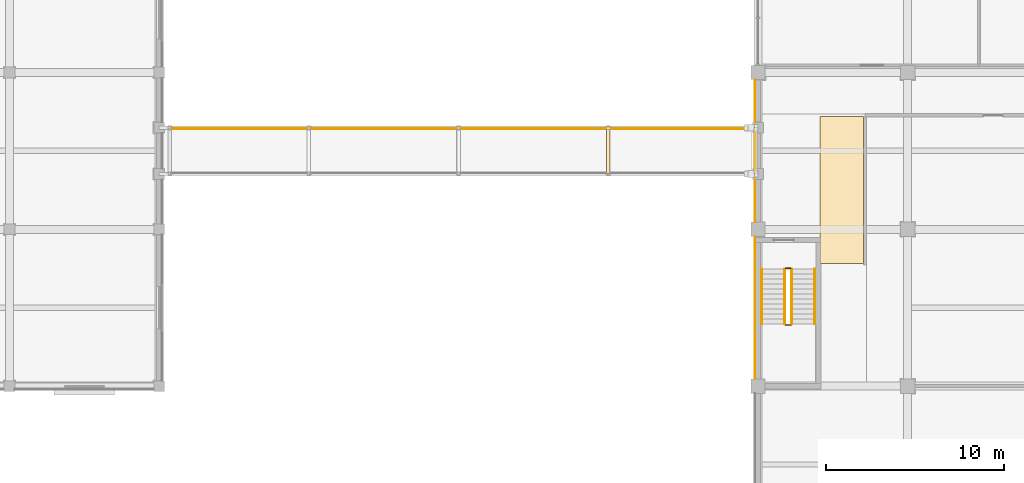
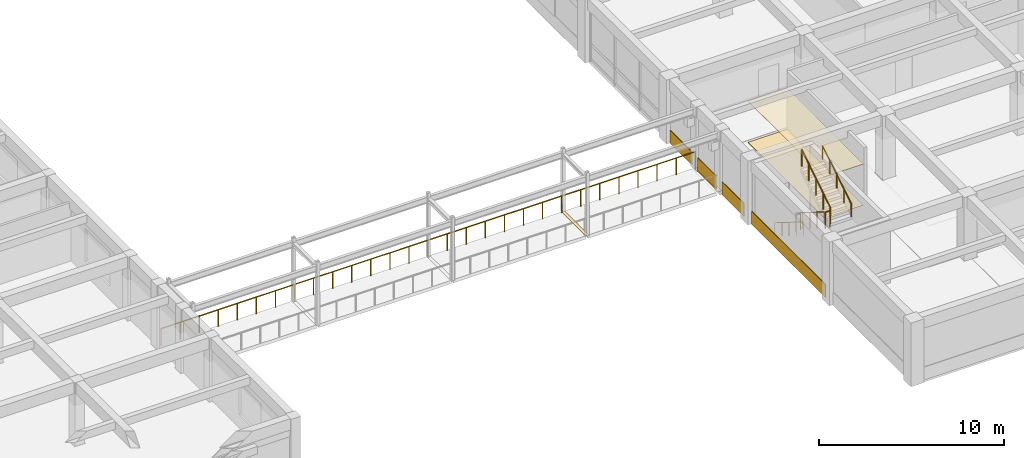
# One storey, part 52 of 57: 8 coverings, 7 railings.
"""IFC4 building model written with IfcOpenShell, lengths in metres."""

from ifc_helpers import new_model, si_unit, direction, frame, origin, origin_2d, place, context, subcontext, project, spatial, polyline, circle, outline, extrude, material, layer, layer_set, type_object, element, save


model = new_model("IFC4")

# Units and contexts
model_context = context("Model", 3, precision=1e-05, world=origin(), true_north=direction((0.0, 1.0)))
body_context = subcontext(model_context, "Body", "Model", "MODEL_VIEW")
ifc_project = project(units=[si_unit("LENGTHUNIT", "METRE"), si_unit("AREAUNIT", "SQUARE_METRE"), si_unit("VOLUMEUNIT", "CUBIC_METRE"), si_unit("PLANEANGLEUNIT", "RADIAN"), si_unit("MASSUNIT", "GRAM", prefix="KILO")], contexts=[model_context])

# Site, building, storey
site_placement = place(None, origin())
site = spatial("IfcSite", under=ifc_project, at=site_placement, CompositionType="ELEMENT")
building_placement = place(site_placement, origin())
building = spatial("IfcBuilding", under=site, at=building_placement, Name="Kemercrest Conservatory and Botanical Centre", CompositionType="ELEMENT")
storey_placement = place(building_placement, frame((0.0, 0.0, 4.800048828125)))
storey = spatial("IfcBuildingStorey", under=building, at=storey_placement, Name="L01", CompositionType="ELEMENT", Elevation=4.800048828125)

# Coverings
ifc_material_1 = material(Name="Honed limestone almasik ashlar rainscreen", Category="masonry")
ifc_layer_1 = layer(ifc_material_1, 0.0400390625)
ifc_layer_set_1 = layer_set([ifc_layer_1], Name="Honed limestone almasik ashlar rainscreen")
covering_type_1 = type_object("IfcCoveringType", Name="CV-CLD040", PredefinedType="CLADDING", material=ifc_layer_set_1)
covering_1_placement = place(storey_placement, origin())
element("IfcCovering", 1, at=covering_1_placement, inside=storey, type_object=covering_type_1, Name="Exterior stone spandrel cladding (WAL:L01:EXT-188-S1)", PredefinedType="CLADDING", context=body_context, shape_type="SweptSolid", body=[
    extrude(outline(polyline([(125.449951171875, 104.389892578125), (125.409912109375, 104.389892578125), (125.409912109375, 102.010009765625), (125.449951171875, 102.010009765625), (125.449951171875, 104.389892578125)])), origin(), (0.0, 0.0, 1.0), 0.849853515625),
])
covering_2_placement = place(storey_placement, origin())
element("IfcCovering", 2, at=covering_2_placement, inside=storey, type_object=covering_type_1, Name="Exterior stone spandrel cladding (WAL:L01:EXT-188-S2)", PredefinedType="CLADDING", context=body_context, shape_type="SweptSolid", body=[
    extrude(outline(polyline([(125.449951171875, 101.389892578125), (125.409912109375, 101.389892578125), (125.409912109375, 99.409912109375), (125.449951171875, 99.409912109375), (125.449951171875, 101.389892578125)])), origin(), (0.0, 0.0, 1.0), 0.849853515625),
])
covering_3_placement = place(storey_placement, origin())
element("IfcCovering", 3, at=covering_3_placement, inside=storey, type_object=covering_type_1, Name="Exterior stone spandrel cladding (WAL:L01:EXT-188-S3)", PredefinedType="CLADDING", context=body_context, shape_type="SweptSolid", body=[
    extrude(outline(polyline([(125.449951171875, 98.7900390625), (125.409912109375, 98.7900390625), (125.409912109375, 96.409912109375), (125.449951171875, 96.409912109375), (125.449951171875, 98.7900390625)])), origin(), (0.0, 0.0, 1.0), 0.849853515625),
])
covering_4_placement = place(storey_placement, origin())
element("IfcCovering", 4, at=covering_4_placement, inside=storey, type_object=covering_type_1, Name="Exterior stone spandrel cladding (WAL:L01:EXT-189)", PredefinedType="CLADDING", context=body_context, shape_type="SweptSolid", body=[
    extrude(outline(polyline([(125.449951171875, 95.590087890625), (125.409912109375, 95.590087890625), (125.409912109375, 87.610107421875), (125.449951171875, 87.610107421875), (125.449951171875, 95.590087890625)])), origin(), (0.0, 0.0, 1.0), 0.849853515625),
])
ifc_material_2 = material(Name="Perforated acoustic gypsum and mineral-fibre suspended ceiling", Category="gypsum")
ifc_layer_2 = layer(ifc_material_2, 0.034912109375)
ifc_layer_set_2 = layer_set([ifc_layer_2], Name="Perforated acoustic gypsum and mineral-fibre suspended ceiling")
covering_type_2 = type_object("IfcCoveringType", Name="CV-CLG035", PredefinedType="CEILING", material=ifc_layer_set_2)
covering_5_placement = place(storey_placement, frame((0.0, 0.0, 2.699951171875)))
element("IfcCovering", 5, at=covering_5_placement, inside=storey, type_object=covering_type_2, Name="West Stair Corridor suspended acoustic ceiling", PredefinedType="CEILING", context=body_context, shape_type="SweptSolid", body=[
    extrude(outline(polyline([(129.080078125, 94.080078125), (131.52001953125, 94.080078125), (131.52001953125, 102.320068359375), (129.080078125, 102.320068359375), (129.080078125, 94.080078125)])), origin(), (0.0, 0.0, 1.0), 0.034912109375),
])
ifc_material_3 = material(Name="Polished limestone terrazzo and seamless laboratory epoxy flooring", Category="masonry")
ifc_layer_3 = layer(ifc_material_3, 0.02001953125)
ifc_layer_set_3 = layer_set([ifc_layer_3], Name="Polished limestone terrazzo and seamless laboratory epoxy flooring")
covering_type_3 = type_object("IfcCoveringType", Name="CV-FLR020", PredefinedType="FLOORING", material=ifc_layer_set_3)
covering_6_placement = place(storey_placement, origin())
element("IfcCovering", 6, at=covering_6_placement, inside=storey, type_object=covering_type_3, Name="West Stair Corridor floor finish", PredefinedType="FLOORING", context=body_context, shape_type="SweptSolid", body=[
    extrude(outline(polyline([(129.080078125, 94.080078125), (131.52001953125, 94.080078125), (131.52001953125, 102.320068359375), (129.080078125, 102.320068359375), (129.080078125, 94.080078125)])), origin(), (0.0, 0.0, 1.0), 0.02001953125),
])
covering_7_placement = place(storey_placement, frame((0.0, 0.0, -0.02001953125)))
element("IfcCovering", 7, at=covering_7_placement, inside=storey, type_object=covering_type_3, Name="Seismic bridge SJ-3 architectural floor slide plate", PredefinedType="FLOORING", context=body_context, shape_type="SweptSolid", body=[
    extrude(outline(polyline([(117.10009765625, 99.10009765625), (117.300048828125, 99.10009765625), (117.300048828125, 101.699951171875), (117.10009765625, 101.699951171875), (117.10009765625, 99.10009765625)])), origin(), (0.0, 0.0, 1.0), 0.02001953125),
])
covering_8_placement = place(storey_placement, frame((0.0, 0.0, -0.02001953125)))
element("IfcCovering", 8, at=covering_8_placement, inside=storey, type_object=covering_type_3, Name="Seismic bridge SJ-3 architectural floor slide plate", PredefinedType="FLOORING", context=body_context, shape_type="SweptSolid", body=[
    extrude(outline(polyline([(125.35009765625, 99.10009765625), (125.60009765625, 99.10009765625), (125.60009765625, 101.699951171875), (125.35009765625, 101.699951171875), (125.35009765625, 99.10009765625)])), origin(), (0.0, 0.0, 1.0), 0.02001953125),
])

# Railings
ifc_material_4 = material(Name="Architectural bronze-anodized steel balustrade", Category="steel")
railing_type_1 = type_object("IfcRailingType", Name="GR-BRG112", PredefinedType="GUARDRAIL", material=ifc_material_4)
railing_1_placement = place(storey_placement, frame((92.10009765625, 101.639892578125, 0.0)))
element("IfcRailing", 9, at=railing_1_placement, inside=storey, type_object=railing_type_1, Name="Seismic bridge SJ-3 side guardrail 2", PredefinedType="GUARDRAIL", context=body_context, shape_type="SweptSolid", body=[
    extrude(circle(Radius=0.02392578125, at=origin_2d()), frame((0.0, 0.0, 1.09619140625), z_axis=(1.0, 0.0, 0.0), x_axis=(0.0, 1.0, 0.0)), (0.0, 0.0, 1.0), 33.2998046875),
    extrude(circle(Radius=0.02099609375, at=origin_2d()), origin(), (0.0, 0.0, 1.0), 1.072021484375),
    extrude(circle(Radius=0.02099609375, at=origin_2d()), frame((1.189208984375, 0.0, 0.0)), (0.0, 0.0, 1.0), 1.072021484375),
    extrude(circle(Radius=0.02099609375, at=origin_2d()), frame((2.378662109375, 0.0, 0.0)), (0.0, 0.0, 1.0), 1.072021484375),
    extrude(circle(Radius=0.02099609375, at=origin_2d()), frame((3.56787109375, 0.0, 0.0)), (0.0, 0.0, 1.0), 1.072021484375),
    extrude(circle(Radius=0.02099609375, at=origin_2d()), frame((4.757080078125, 0.0, 0.0)), (0.0, 0.0, 1.0), 1.072021484375),
    extrude(circle(Radius=0.02099609375, at=origin_2d()), frame((5.9462890625, 0.0, 0.0)), (0.0, 0.0, 1.0), 1.072021484375),
    extrude(circle(Radius=0.02099609375, at=origin_2d()), frame((7.1357421875, 0.0, 0.0)), (0.0, 0.0, 1.0), 1.072021484375),
    extrude(circle(Radius=0.02099609375, at=origin_2d()), frame((8.324951171875, 0.0, 0.0)), (0.0, 0.0, 1.0), 1.072021484375),
    extrude(circle(Radius=0.02099609375, at=origin_2d()), frame((9.51416015625, 0.0, 0.0)), (0.0, 0.0, 1.0), 1.072021484375),
    extrude(circle(Radius=0.02099609375, at=origin_2d()), frame((10.70361328125, 0.0, 0.0)), (0.0, 0.0, 1.0), 1.072021484375),
    extrude(circle(Radius=0.02099609375, at=origin_2d()), frame((11.892822265625, 0.0, 0.0)), (0.0, 0.0, 1.0), 1.072021484375),
    extrude(circle(Radius=0.02099609375, at=origin_2d()), frame((13.08203125, 0.0, 0.0)), (0.0, 0.0, 1.0), 1.072021484375),
    extrude(circle(Radius=0.02099609375, at=origin_2d()), frame((14.271240234375, 0.0, 0.0)), (0.0, 0.0, 1.0), 1.072021484375),
    extrude(circle(Radius=0.02099609375, at=origin_2d()), frame((15.460693359375, 0.0, 0.0)), (0.0, 0.0, 1.0), 1.072021484375),
    extrude(circle(Radius=0.02099609375, at=origin_2d()), frame((16.64990234375, 0.0, 0.0)), (0.0, 0.0, 1.0), 1.072021484375),
    extrude(circle(Radius=0.02099609375, at=origin_2d()), frame((17.839111328125, 0.0, 0.0)), (0.0, 0.0, 1.0), 1.072021484375),
    extrude(circle(Radius=0.02099609375, at=origin_2d()), frame((19.028564453125, 0.0, 0.0)), (0.0, 0.0, 1.0), 1.072021484375),
    extrude(circle(Radius=0.02099609375, at=origin_2d()), frame((20.2177734375, 0.0, 0.0)), (0.0, 0.0, 1.0), 1.072021484375),
    extrude(circle(Radius=0.02099609375, at=origin_2d()), frame((21.406982421875, 0.0, 0.0)), (0.0, 0.0, 1.0), 1.072021484375),
    extrude(circle(Radius=0.02099609375, at=origin_2d()), frame((22.59619140625, 0.0, 0.0)), (0.0, 0.0, 1.0), 1.072021484375),
    extrude(circle(Radius=0.02099609375, at=origin_2d()), frame((23.78564453125, 0.0, 0.0)), (0.0, 0.0, 1.0), 1.072021484375),
    extrude(circle(Radius=0.02099609375, at=origin_2d()), frame((24.974853515625, 0.0, 0.0)), (0.0, 0.0, 1.0), 1.072021484375),
    extrude(circle(Radius=0.02099609375, at=origin_2d()), frame((26.1640625, 0.0, 0.0)), (0.0, 0.0, 1.0), 1.072021484375),
    extrude(circle(Radius=0.02099609375, at=origin_2d()), frame((27.353515625, 0.0, 0.0)), (0.0, 0.0, 1.0), 1.072021484375),
    extrude(circle(Radius=0.02099609375, at=origin_2d()), frame((28.542724609375, 0.0, 0.0)), (0.0, 0.0, 1.0), 1.072021484375),
    extrude(circle(Radius=0.02099609375, at=origin_2d()), frame((29.73193359375, 0.0, 0.0)), (0.0, 0.0, 1.0), 1.072021484375),
    extrude(circle(Radius=0.02099609375, at=origin_2d()), frame((30.921142578125, 0.0, 0.0)), (0.0, 0.0, 1.0), 1.072021484375),
    extrude(circle(Radius=0.02099609375, at=origin_2d()), frame((32.110595703125, 0.0, 0.0)), (0.0, 0.0, 1.0), 1.072021484375),
    extrude(circle(Radius=0.02099609375, at=origin_2d()), frame((33.2998046875, 0.0, 0.0)), (0.0, 0.0, 1.0), 1.072021484375),
])
ifc_material_5 = material(Name="Painted galvanized steel tubular stair guardrail", Category="steel")
railing_type_2 = type_object("IfcRailingType", Name="GR-STR110", PredefinedType="GUARDRAIL", material=ifc_material_5)
railing_2_placement = place(storey_placement, frame((127.110107421875, 93.760009765625, 0.175048828125)))
element("IfcRailing", 10, at=railing_2_placement, inside=storey, type_object=railing_type_2, Name="L01 ST-V4C stair guard 1", PredefinedType="GUARDRAIL", context=body_context, shape_type="SweptSolid", body=[
    extrude(circle(Radius=0.02392578125, at=origin_2d()), frame((0.0, 0.0, 1.076171875), z_axis=(0.0, -0.848028513186, 0.529950602248), x_axis=(1.0, 0.0, 0.0)), (0.0, 0.0, 1.0), 3.632080078125),
    extrude(circle(Radius=0.02099609375, at=origin_2d()), origin(), (0.0, 0.0, 1.0), 1.052001953125),
    extrude(circle(Radius=0.02099609375, at=origin_2d()), frame((0.0, -0.77001953125, 0.481201171875)), (0.0, 0.0, 1.0), 1.052001953125),
    extrude(circle(Radius=0.02099609375, at=origin_2d()), frame((0.0, -1.5400390625, 0.96240234375)), (0.0, 0.0, 1.0), 1.052001953125),
    extrude(circle(Radius=0.02099609375, at=origin_2d()), frame((0.0, -2.31005859375, 1.443603515625)), (0.0, 0.0, 1.0), 1.052001953125),
    extrude(circle(Radius=0.02099609375, at=origin_2d()), frame((0.0, -3.080078125, 1.9248046875)), (0.0, 0.0, 1.0), 1.052001953125),
])
railing_3_placement = place(storey_placement, frame((127.159912109375, 90.6298828125, 2.099853515625)))
element("IfcRailing", 11, at=railing_3_placement, inside=storey, type_object=railing_type_2, Name="L01 ST-V4C stair guard 2", PredefinedType="GUARDRAIL", context=body_context, shape_type="SweptSolid", body=[
    extrude(circle(Radius=0.02392578125, at=origin_2d()), frame((0.0, 0.0, 1.076171875), z_axis=(1.0, 0.0, 0.0), x_axis=(0.0, 1.0, 0.0)), (0.0, 0.0, 1.0), 0.280029296875),
    extrude(circle(Radius=0.02099609375, at=origin_2d()), origin(), (0.0, 0.0, 1.0), 1.052001953125),
    extrude(circle(Radius=0.02099609375, at=origin_2d()), frame((0.280029296875, 0.0, 0.0)), (0.0, 0.0, 1.0), 1.052001953125),
])
railing_4_placement = place(storey_placement, frame((127.489990234375, 90.679931640625, 2.27490234375)))
element("IfcRailing", 12, at=railing_4_placement, inside=storey, type_object=railing_type_2, Name="L01 ST-V4C stair guard 3", PredefinedType="GUARDRAIL", context=body_context, shape_type="SweptSolid", body=[
    extrude(circle(Radius=0.02392578125, at=origin_2d()), frame((0.0, 0.0, 1.076171875), z_axis=(0.0, 0.847998304005, 0.529998940003), x_axis=(-1.0, 0.0, 0.0)), (0.0, 0.0, 1.0), 3.632080078125),
    extrude(circle(Radius=0.02099609375, at=origin_2d()), origin(), (0.0, 0.0, 1.0), 1.052001953125),
    extrude(circle(Radius=0.02099609375, at=origin_2d()), frame((0.0, 0.77001953125, 0.481201171875)), (0.0, 0.0, 1.0), 1.052001953125),
    extrude(circle(Radius=0.02099609375, at=origin_2d()), frame((0.0, 1.5400390625, 0.96240234375)), (0.0, 0.0, 1.0), 1.052001953125),
    extrude(circle(Radius=0.02099609375, at=origin_2d()), frame((0.0, 2.31005859375, 1.44384765625)), (0.0, 0.0, 1.0), 1.052001953125),
    extrude(circle(Radius=0.02099609375, at=origin_2d()), frame((0.0, 3.080078125, 1.925048828125)), (0.0, 0.0, 1.0), 1.052001953125),
])
railing_5_placement = place(storey_placement, frame((127.159912109375, 93.81005859375, 0.0)))
element("IfcRailing", 13, at=railing_5_placement, inside=storey, type_object=railing_type_2, Name="L01 ST-V4C stair guard 4", PredefinedType="GUARDRAIL", context=body_context, shape_type="SweptSolid", body=[
    extrude(circle(Radius=0.02392578125, at=origin_2d()), frame((0.0, 0.0, 1.076171875), z_axis=(1.0, 0.0, 0.0), x_axis=(0.0, 1.0, 0.0)), (0.0, 0.0, 1.0), 0.280029296875),
    extrude(circle(Radius=0.02099609375, at=origin_2d()), origin(), (0.0, 0.0, 1.0), 1.052001953125),
    extrude(circle(Radius=0.02099609375, at=origin_2d()), frame((0.280029296875, 0.0, 0.0)), (0.0, 0.0, 1.0), 1.052001953125),
])
ifc_material_6 = material(Name="Brushed stainless steel wall-mounted handrail", Category="steel")
railing_type_3 = type_object("IfcRailingType", Name="HR-STR090", PredefinedType="HANDRAIL", material=ifc_material_6)
railing_6_placement = place(storey_placement, frame((125.81005859375, 93.760009765625, 0.175048828125)))
element("IfcRailing", 14, at=railing_6_placement, inside=storey, type_object=railing_type_3, Name="L01 ST-V4C stair handrail 1", PredefinedType="HANDRAIL", context=body_context, shape_type="SweptSolid", body=[
    extrude(circle(Radius=0.02392578125, at=origin_2d()), frame((0.0, 0.0, 0.8759765625), z_axis=(0.0, -0.848028513186, 0.529950602248), x_axis=(1.0, 0.0, 0.0)), (0.0, 0.0, 1.0), 3.632080078125),
    extrude(circle(Radius=0.02099609375, at=origin_2d()), origin(), (0.0, 0.0, 1.0), 0.851806640625),
    extrude(circle(Radius=0.02099609375, at=origin_2d()), frame((0.0, -0.77001953125, 0.481201171875)), (0.0, 0.0, 1.0), 0.851806640625),
    extrude(circle(Radius=0.02099609375, at=origin_2d()), frame((0.0, -1.5400390625, 0.96240234375)), (0.0, 0.0, 1.0), 0.851806640625),
    extrude(circle(Radius=0.02099609375, at=origin_2d()), frame((0.0, -2.31005859375, 1.443603515625)), (0.0, 0.0, 1.0), 0.851806640625),
    extrude(circle(Radius=0.02099609375, at=origin_2d()), frame((0.0, -3.080078125, 1.9248046875)), (0.0, 0.0, 1.0), 0.851806640625),
])
railing_7_placement = place(storey_placement, frame((128.7900390625, 90.679931640625, 2.27490234375)))
element("IfcRailing", 15, at=railing_7_placement, inside=storey, type_object=railing_type_3, Name="L01 ST-V4C stair handrail 2", PredefinedType="HANDRAIL", context=body_context, shape_type="SweptSolid", body=[
    extrude(circle(Radius=0.02392578125, at=origin_2d()), frame((0.0, 0.0, 0.8759765625), z_axis=(0.0, 0.847998304005, 0.529998940003), x_axis=(-1.0, 0.0, 0.0)), (0.0, 0.0, 1.0), 3.632080078125),
    extrude(circle(Radius=0.02099609375, at=origin_2d()), origin(), (0.0, 0.0, 1.0), 0.851806640625),
    extrude(circle(Radius=0.02099609375, at=origin_2d()), frame((0.0, 0.77001953125, 0.481201171875)), (0.0, 0.0, 1.0), 0.851806640625),
    extrude(circle(Radius=0.02099609375, at=origin_2d()), frame((0.0, 1.5400390625, 0.96240234375)), (0.0, 0.0, 1.0), 0.851806640625),
    extrude(circle(Radius=0.02099609375, at=origin_2d()), frame((0.0, 2.31005859375, 1.44384765625)), (0.0, 0.0, 1.0), 0.851806640625),
    extrude(circle(Radius=0.02099609375, at=origin_2d()), frame((0.0, 3.080078125, 1.925048828125)), (0.0, 0.0, 1.0), 0.851806640625),
])

save(model, "model.ifc")
